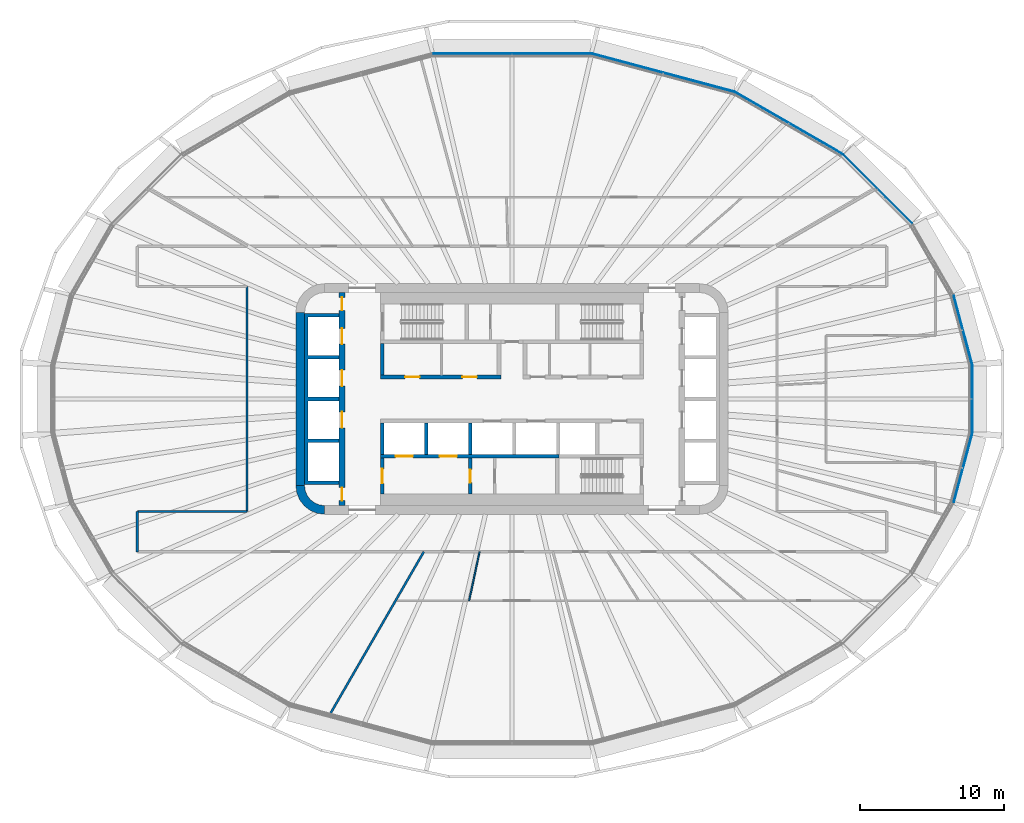
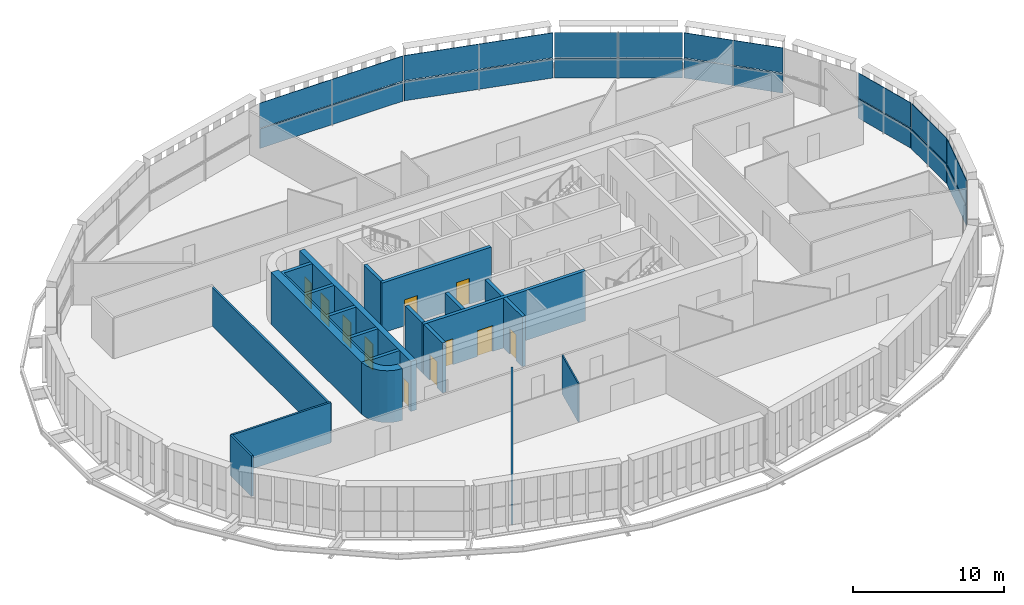
# One storey, part 14 of 25: 17 walls, 14 plates, 11 doors, 11 openings, 7 elements without a shape of their own.
"""IFC4 building model written with IfcOpenShell, lengths in metres."""

from ifc_helpers import new_model, si_unit, direction, frame, frame_2d, origin, place, context, subcontext, project, spatial, polyline, rectangle, outline, extrude, material, layer, layer_set, type_object, element, fill, aggregate, save


model = new_model("IFC4")

# Units and contexts
model_context = context("Model", 3, precision=1e-05, world=origin(), true_north=direction((0.0, 1.0)))
body_context = subcontext(model_context, "Body", "Model", "MODEL_VIEW")
ifc_project = project(units=[si_unit("LENGTHUNIT", "METRE"), si_unit("AREAUNIT", "SQUARE_METRE"), si_unit("VOLUMEUNIT", "CUBIC_METRE"), si_unit("PLANEANGLEUNIT", "RADIAN"), si_unit("MASSUNIT", "GRAM", prefix="KILO")], contexts=[model_context])

# Site, building, storey
site_placement = place(None, origin())
site = spatial("IfcSite", under=ifc_project, at=site_placement, CompositionType="ELEMENT")
building_placement = place(site_placement, origin())
building = spatial("IfcBuilding", under=site, at=building_placement, Name="Sahrelin Media Tower", CompositionType="ELEMENT")
storey_placement = place(building_placement, frame((0.0, 0.0, 106.199951171875)))
storey = spatial("IfcBuildingStorey", under=building, at=storey_placement, Name="L20", CompositionType="ELEMENT", Elevation=106.199951171875)

# Curtain wall, plate
ifc_material_1 = material(Name="Champagne anodised aluminium 6063-T6", Category="aluminium")
ifc_layer_1 = layer(ifc_material_1, 0.14990234375)
ifc_layer_set_1 = layer_set([ifc_layer_1], Name="Tower ribbon curtain wall")
curtain_wall_type = type_object("IfcCurtainWallType", Name="Tower ribbon curtain wall", PredefinedType="NOTDEFINED", material=ifc_layer_set_1)
curtain_wall_1_placement = place(storey_placement, frame((31.9443359375, 0.0, 0.0), z_axis=(0.0, 0.0, 1.0), x_axis=(1.0, 0.0, 0.0)))
curtain_wall_1 = element("IfcCurtainWall", 1, at=curtain_wall_1_placement, inside=storey, type_object=curtain_wall_type, Name="L20:CW:L20-00", PredefinedType="NOTDEFINED")
ifc_material_2 = material(Name="Clear low-iron glazing", Category="glass")
ifc_layer_2 = layer(ifc_material_2, 0.0400390625)
ifc_layer_set_2 = layer_set([ifc_layer_2], Name="Glazing panel 40 mm CW1")
plate_type_1 = type_object("IfcPlateType", Name="Glazing panel 40 mm CW1", PredefinedType="CURTAIN_PANEL", material=ifc_layer_set_2)
plate_1_placement = place(storey_placement, frame((31.96435546875, -2.337158203125, 1.630126953125), z_axis=(1.0, 0.0, 0.0), x_axis=(0.0, 1.0, 0.0)))
plate_1 = element("IfcPlate", 2, at=plate_1_placement, type_object=plate_type_1, Name="L20:CWP2:L20-00", PredefinedType="CURTAIN_PANEL", context=body_context, shape_type="SweptSolid", body=[
    extrude(outline(polyline([(0.0, 0.0), (4.67431640625, 0.0), (4.67431640625, 2.0185546875), (0.0, 2.0185546875), (0.0, 0.0)])), origin(), (0.0, 0.0, -1.0), 0.0400390625),
])

curtain_wall_2_placement = place(storey_placement, frame((31.298095703125, 4.798828125, 0.0), z_axis=(0.0, 0.0, 1.0), x_axis=(1.0, 0.0, 0.0)))
curtain_wall_2 = element("IfcCurtainWall", 3, at=curtain_wall_2_placement, inside=storey, type_object=curtain_wall_type, Name="L20:CW:L20-01", PredefinedType="NOTDEFINED")
plate_2_placement = place(storey_placement, frame((31.95068359375, 2.440673828125, 1.630126953125), z_axis=(0.965932017326, 0.258795938733, 0.0), x_axis=(-0.258795938733, 0.965932017326, 0.0)))
plate_2 = element("IfcPlate", 4, at=plate_2_placement, type_object=plate_type_1, Name="L20:CWP2:L20-01", PredefinedType="CURTAIN_PANEL", context=body_context, shape_type="SweptSolid", body=[
    extrude(outline(polyline([(0.0, 0.0), (4.893310546875, 0.0), (4.893310546875, 2.0185546875), (0.0, 2.0185546875), (0.0, 0.0)])), origin(), (0.0, 0.0, -1.0), 0.0400390625),
])

curtain_wall_3_placement = place(storey_placement, frame((25.371337890625, 14.5703125, 0.0), z_axis=(0.0, 0.0, 1.0), x_axis=(1.0, 0.0, 0.0)))
curtain_wall_3 = element("IfcCurtainWall", 5, at=curtain_wall_3_placement, inside=storey, type_object=curtain_wall_type, Name="L20:CW:L20-03", PredefinedType="NOTDEFINED")
plate_3_placement = place(storey_placement, frame((27.790283203125, 12.1796875, 1.630126953125), z_axis=(0.707106781187, 0.707106781187, 0.0), x_axis=(-0.707106781187, 0.707106781187, 0.0)))
plate_3 = element("IfcPlate", 6, at=plate_3_placement, type_object=plate_type_1, Name="L20:CWP2:L20-03", PredefinedType="CURTAIN_PANEL", context=body_context, shape_type="SweptSolid", body=[
    extrude(outline(polyline([(0.0, 0.0), (6.801513671875, 0.0), (6.801513671875, 2.0185546875), (0.0, 2.0185546875), (0.0, 0.0)])), origin(), (0.0, 0.0, -1.0), 0.0400390625),
])

curtain_wall_4_placement = place(storey_placement, frame((19.20751953125, 19.160400390625, 0.0), z_axis=(0.0, 0.0, 1.0), x_axis=(1.0, 0.0, 0.0)))
curtain_wall_4 = element("IfcCurtainWall", 7, at=curtain_wall_4_placement, inside=storey, type_object=curtain_wall_type, Name="L20:CW:L20-04", PredefinedType="NOTDEFINED")
plate_4_placement = place(storey_placement, frame((22.898193359375, 17.052490234375, 1.630126953125), z_axis=(0.499994284652, 0.866028703517, 0.0), x_axis=(-0.866028703517, 0.499994284652, 0.0)))
plate_4 = element("IfcPlate", 8, at=plate_4_placement, type_object=plate_type_1, Name="L20:CWP2:L20-04", PredefinedType="CURTAIN_PANEL", context=body_context, shape_type="SweptSolid", body=[
    extrude(outline(polyline([(0.0, 0.0), (8.5, 0.0), (8.5, 2.0185546875), (0.0, 2.0185546875), (0.0, 0.0)])), origin(), (0.0, 0.0, -1.0), 0.0400390625),
])

curtain_wall_5_placement = place(storey_placement, frame((10.50732421875, 22.643798828125, 0.0), z_axis=(0.0, 0.0, 1.0), x_axis=(1.0, 0.0, 0.0)))
curtain_wall_5 = element("IfcCurtainWall", 9, at=curtain_wall_5_placement, inside=storey, type_object=curtain_wall_type, Name="L20:CW:L20-05", PredefinedType="NOTDEFINED")
plate_5_placement = place(storey_placement, frame((15.4404296875, 21.342529296875, 1.630126953125), z_axis=(0.258816614048, 0.965926477685, 0.0), x_axis=(-0.965926477685, 0.258816614048, 0.0)))
plate_5 = element("IfcPlate", 10, at=plate_5_placement, type_object=plate_type_1, Name="L20:CWP2:L20-05", PredefinedType="CURTAIN_PANEL", context=body_context, shape_type="SweptSolid", body=[
    extrude(outline(polyline([(0.0, 0.0), (10.20361328125, 0.0), (10.20361328125, 2.0185546875), (0.0, 2.0185546875), (0.0, 0.0)])), origin(), (0.0, 0.0, -1.0), 0.0400390625),
])

curtain_wall_6_placement = place(storey_placement, frame((0.0, 23.97705078125, 0.0), z_axis=(0.0, 0.0, 1.0), x_axis=(1.0, 0.0, 0.0)))
curtain_wall_6 = element("IfcCurtainWall", 11, at=curtain_wall_6_placement, inside=storey, type_object=curtain_wall_type, Name="L20:CW:L20-06", PredefinedType="NOTDEFINED")
plate_6_placement = place(storey_placement, frame((5.48095703125, 23.9970703125, 1.630126953125), z_axis=(0.0, 1.0, 0.0), x_axis=(-1.0, 0.0, 0.0)))
plate_6 = element("IfcPlate", 12, at=plate_6_placement, type_object=plate_type_1, Name="L20:CWP2:L20-06", PredefinedType="CURTAIN_PANEL", context=body_context, shape_type="SweptSolid", body=[
    extrude(outline(polyline([(0.0, 0.0), (10.9619140625, 0.0), (10.9619140625, 2.0185546875), (0.0, 2.0185546875), (0.0, 0.0)])), origin(), (0.0, 0.0, -1.0), 0.0400390625),
])

curtain_wall_7_placement = place(storey_placement, frame((31.298095703125, -4.798583984375, 0.0), z_axis=(0.0, 0.0, 1.0), x_axis=(1.0, 0.0, 0.0)))
curtain_wall_7 = element("IfcCurtainWall", 13, at=curtain_wall_7_placement, inside=storey, type_object=curtain_wall_type, Name="L20:CW:L20-23", PredefinedType="NOTDEFINED")
plate_7_placement = place(storey_placement, frame((30.684326171875, -7.167236328125, 1.630126953125), z_axis=(0.965932017326, -0.258795938733, 0.0), x_axis=(0.258795938733, 0.965932017326, 0.0)))
plate_7 = element("IfcPlate", 14, at=plate_7_placement, type_object=plate_type_1, Name="L20:CWP2:L20-23", PredefinedType="CURTAIN_PANEL", context=body_context, shape_type="SweptSolid", body=[
    extrude(outline(polyline([(0.0, 0.0), (4.893310546875, 0.0), (4.893310546875, 2.0185546875), (0.0, 2.0185546875), (0.0, 0.0)])), origin(), (0.0, 0.0, -1.0), 0.0400390625),
])

# Plate
ifc_material_3 = material(Name="Insulated spandrel panel")
ifc_layer_3 = layer(ifc_material_3, 0.06005859375)
ifc_layer_set_3 = layer_set([ifc_layer_3], Name="Spandrel panel 60 mm CW1")
plate_type_2 = type_object("IfcPlateType", Name="Spandrel panel 60 mm CW1", PredefinedType="SHEET", material=ifc_layer_set_3)
plate_8_placement = place(storey_placement, frame((31.96435546875, -2.337158203125, 0.0), z_axis=(1.0, 0.0, 0.0), x_axis=(0.0, 1.0, 0.0)))
plate_8 = element("IfcPlate", 15, at=plate_8_placement, type_object=plate_type_2, Name="L20:CWP1:L20-00", PredefinedType="SHEET", context=body_context, shape_type="SweptSolid", body=[
    extrude(outline(polyline([(0.0, 0.0), (4.67431640625, 0.0), (4.67431640625, 1.570068359375), (0.0, 1.570068359375), (0.0, 0.0)])), origin(), (0.0, 0.0, -1.0), 0.06005859375),
])

aggregate(curtain_wall_1, [plate_8, plate_1])

plate_9_placement = place(storey_placement, frame((31.95068359375, 2.440673828125, 0.0), z_axis=(0.965932017326, 0.258795938733, 0.0), x_axis=(-0.258795938733, 0.965932017326, 0.0)))
plate_9 = element("IfcPlate", 16, at=plate_9_placement, type_object=plate_type_2, Name="L20:CWP1:L20-01", PredefinedType="SHEET", context=body_context, shape_type="SweptSolid", body=[
    extrude(outline(polyline([(0.0, 0.0), (4.893310546875, 0.0), (4.893310546875, 1.570068359375), (0.0, 1.570068359375), (0.0, 0.0)])), origin(), (0.0, 0.0, -1.0), 0.06005859375),
])

aggregate(curtain_wall_2, [plate_9, plate_2])

plate_10_placement = place(storey_placement, frame((27.790283203125, 12.1796875, 0.0), z_axis=(0.707106781187, 0.707106781187, 0.0), x_axis=(-0.707106781187, 0.707106781187, 0.0)))
plate_10 = element("IfcPlate", 17, at=plate_10_placement, type_object=plate_type_2, Name="L20:CWP1:L20-03", PredefinedType="SHEET", context=body_context, shape_type="SweptSolid", body=[
    extrude(outline(polyline([(0.0, 0.0), (6.801513671875, 0.0), (6.801513671875, 1.570068359375), (0.0, 1.570068359375), (0.0, 0.0)])), origin(), (0.0, 0.0, -1.0), 0.06005859375),
])

aggregate(curtain_wall_3, [plate_10, plate_3])

plate_11_placement = place(storey_placement, frame((22.898193359375, 17.052490234375, 0.0), z_axis=(0.499994284652, 0.866028703517, 0.0), x_axis=(-0.866028703517, 0.499994284652, 0.0)))
plate_11 = element("IfcPlate", 18, at=plate_11_placement, type_object=plate_type_2, Name="L20:CWP1:L20-04", PredefinedType="SHEET", context=body_context, shape_type="SweptSolid", body=[
    extrude(outline(polyline([(0.0, 0.0), (8.5, 0.0), (8.5, 1.570068359375), (0.0, 1.570068359375), (0.0, 0.0)])), origin(), (0.0, 0.0, -1.0), 0.06005859375),
])

aggregate(curtain_wall_4, [plate_11, plate_4])

plate_12_placement = place(storey_placement, frame((15.4404296875, 21.342529296875, 0.0), z_axis=(0.258816614048, 0.965926477685, 0.0), x_axis=(-0.965926477685, 0.258816614048, 0.0)))
plate_12 = element("IfcPlate", 19, at=plate_12_placement, type_object=plate_type_2, Name="L20:CWP1:L20-05", PredefinedType="SHEET", context=body_context, shape_type="SweptSolid", body=[
    extrude(outline(polyline([(0.0, 0.0), (10.20361328125, 0.0), (10.20361328125, 1.570068359375), (0.0, 1.570068359375), (0.0, 0.0)])), origin(), (0.0, 0.0, -1.0), 0.06005859375),
])

aggregate(curtain_wall_5, [plate_12, plate_5])

plate_13_placement = place(storey_placement, frame((5.48095703125, 23.9970703125, 0.0), z_axis=(0.0, 1.0, 0.0), x_axis=(-1.0, 0.0, 0.0)))
plate_13 = element("IfcPlate", 20, at=plate_13_placement, type_object=plate_type_2, Name="L20:CWP1:L20-06", PredefinedType="SHEET", context=body_context, shape_type="SweptSolid", body=[
    extrude(outline(polyline([(0.0, 0.0), (10.9619140625, 0.0), (10.9619140625, 1.570068359375), (0.0, 1.570068359375), (0.0, 0.0)])), origin(), (0.0, 0.0, -1.0), 0.06005859375),
])

aggregate(curtain_wall_6, [plate_13, plate_6])

plate_14_placement = place(storey_placement, frame((30.684326171875, -7.167236328125, 0.0), z_axis=(0.965932017326, -0.258795938733, 0.0), x_axis=(0.258795938733, 0.965932017326, 0.0)))
plate_14 = element("IfcPlate", 21, at=plate_14_placement, type_object=plate_type_2, Name="L20:CWP1:L20-23", PredefinedType="SHEET", context=body_context, shape_type="SweptSolid", body=[
    extrude(outline(polyline([(0.0, 0.0), (4.893310546875, 0.0), (4.893310546875, 1.570068359375), (0.0, 1.570068359375), (0.0, 0.0)])), origin(), (0.0, 0.0, -1.0), 0.06005859375),
])

aggregate(curtain_wall_7, [plate_14, plate_7])

# Walls
ifc_material_4 = material(Name="Concrete C60/75", Category="concrete")
ifc_layer_4 = layer(ifc_material_4, 0.60009765625)
ifc_layer_set_4 = layer_set([ifc_layer_4], Name="Core wall 600")
wall_type_1 = type_object("IfcWallType", Name="Core wall 600", PredefinedType="SHEAR", material=ifc_layer_set_4)
wall_1_placement = place(storey_placement, frame((-14.699951171875, -6.0, 0.0), z_axis=(0.0, 0.0, 1.0), x_axis=(0.0, 1.0, 0.0)))
element("IfcWall", 22, at=wall_1_placement, inside=storey, type_object=wall_type_1, Name="Core wall W L20", PredefinedType="SHEAR", context=body_context, shape_type="SweptSolid", body=[
    extrude(rectangle(XDim=12.0, YDim=0.60009765625, at=frame_2d((6.0, 0.0))), origin(), (0.0, 0.0, 1.0), 4.199951171875),
])
placement = place(storey_placement, origin())
element("IfcWall", 23, at=placement, inside=storey, type_object=wall_type_1, Name="Core wall corner SW L20", PredefinedType="SHEAR", context=body_context, shape_type="SweptSolid", body=[
    extrude(outline(polyline([(-13.0, -8.0), (-13.0, -7.394775390625), (-13.361083984375, -7.347412109375), (-13.697509765625, -7.2080078125), (-13.986328125, -6.986328125), (-14.2080078125, -6.697509765625), (-14.347412109375, -6.361083984375), (-14.394775390625, -6.0), (-15.0, -6.0), (-14.931884765625, -6.517578125), (-14.732177734375, -7.0), (-14.414306640625, -7.414306640625), (-14.0, -7.732177734375), (-13.517578125, -7.931884765625), (-13.0, -8.0)])), origin(), (0.0, 0.0, 1.0), 4.199951171875),
])

# Wall, openings, doors
ifc_material_5 = material(Name="Fire-rated gypsum board partition")
ifc_layer_5 = layer(ifc_material_5, 0.25)
ifc_layer_set_5 = layer_set([ifc_layer_5], Name="Fire-rated lobby wall 250")
wall_type_2 = type_object("IfcWallType", Name="Fire-rated lobby wall 250", PredefinedType="PARTITIONING", material=ifc_layer_set_5)
wall_3_placement = place(storey_placement, frame((-9.125, 1.52490234375, 0.0), z_axis=(0.0, 0.0, 1.0), x_axis=(1.0, 0.0, 0.0)))
wall_3 = element("IfcWall", 24, at=wall_3_placement, inside=storey, type_object=wall_type_2, Name="Core lobby wall", PredefinedType="PARTITIONING", context=body_context, shape_type="SweptSolid", body=[
    extrude(rectangle(XDim=8.35009765625, YDim=0.25, at=frame_2d((4.175048828125, 0.0))), origin(), (0.0, 0.0, 1.0), 4.050048828125),
])
opening_1_placement = place(wall_3_placement, frame((1.71240234375, 0.0, 0.0)))
opening_1 = element("IfcOpeningElement", 25, at=opening_1_placement, cuts=wall_3, Name="Opening L20-D09", PredefinedType="OPENING", context=body_context, shape_type="SweptSolid", body=[
    extrude(rectangle(XDim=1.0, YDim=2.10009765625, at=frame_2d((0.5, 1.050048828125))), frame((0.0, 0.125, 0.0), z_axis=(0.0, -1.0, 0.0), x_axis=(1.0, 0.0, 0.0)), (0.0, 0.0, 1.0), 0.25),
])
opening_2_placement = place(wall_3_placement, frame((5.6875, 0.0, 0.0)))
opening_2 = element("IfcOpeningElement", 26, at=opening_2_placement, cuts=wall_3, Name="Opening L20-D10", PredefinedType="OPENING", context=body_context, shape_type="SweptSolid", body=[
    extrude(rectangle(XDim=1.0, YDim=2.10009765625, at=frame_2d((0.5, 1.050048828125))), frame((0.0, 0.125, 0.0), z_axis=(0.0, -1.0, 0.0), x_axis=(1.0, 0.0, 0.0)), (0.0, 0.0, 1.0), 0.25),
])
ifc_material_6 = material(Name="Steel fire door leaf", Category="steel")
door_type_1 = type_object("IfcDoorType", Name="Fire door 1000 x 2100 EI 60", OperationType="NOTDEFINED", PredefinedType="DOOR", material=ifc_material_6)
door_1_placement = place(opening_1_placement, origin())
door_1 = element("IfcDoor", 27, at=door_1_placement, inside=storey, type_object=door_type_1, Name="Core room door", OperationType="SINGLE_SWING_LEFT", OverallHeight=2.10009765625, OverallWidth=1.0, PredefinedType="DOOR", context=body_context, shape_type="SweptSolid", body=[
    extrude(rectangle(XDim=1.0, YDim=2.10009765625, at=frame_2d((0.5, 1.050048828125))), frame((0.0, 0.02490234375, 0.0), z_axis=(0.0, -1.0, 0.0), x_axis=(1.0, 0.0, 0.0)), (0.0, 0.0, 1.0), 0.050048828125),
])
fill(opening_1, door_1)
door_2_placement = place(opening_2_placement, origin())
door_2 = element("IfcDoor", 28, at=door_2_placement, inside=storey, type_object=door_type_1, Name="Core room door", OperationType="SINGLE_SWING_LEFT", OverallHeight=2.10009765625, OverallWidth=1.0, PredefinedType="DOOR", context=body_context, shape_type="SweptSolid", body=[
    extrude(rectangle(XDim=1.0, YDim=2.10009765625, at=frame_2d((0.5, 1.050048828125))), frame((0.0, 0.02490234375, 0.0), z_axis=(0.0, -1.0, 0.0), x_axis=(1.0, 0.0, 0.0)), (0.0, 0.0, 1.0), 0.050048828125),
])
fill(opening_2, door_2)

# Walls
wall_4_placement = place(storey_placement, frame((-9.0, 1.64990234375, 0.0), z_axis=(0.0, 0.0, 1.0), x_axis=(0.0, 1.0, 0.0)))
element("IfcWall", 29, at=wall_4_placement, inside=storey, type_object=wall_type_2, Name="Core lobby wall", PredefinedType="PARTITIONING", context=body_context, shape_type="SweptSolid", body=[
    extrude(rectangle(XDim=2.2001953125, YDim=0.25, at=frame_2d((1.10009765625, 0.0))), origin(), (0.0, 0.0, 1.0), 4.050048828125),
])
ifc_layer_6 = layer(ifc_material_5, 0.14990234375)
ifc_layer_set_6 = layer_set([ifc_layer_6], Name="Fire-rated partition 150")
wall_type_3 = type_object("IfcWallType", Name="Fire-rated partition 150", PredefinedType="PARTITIONING", material=ifc_layer_set_6)
wall_5_placement = place(storey_placement, frame((-26.0, -7.800048828125, 0.0), z_axis=(0.0, 0.0, 1.0), x_axis=(1.0, 0.0, 0.0)))
element("IfcWall", 30, at=wall_5_placement, inside=storey, type_object=wall_type_3, Name="Wall", PredefinedType="PARTITIONING", context=body_context, shape_type="SweptSolid", body=[
    extrude(rectangle(XDim=7.60009765625, YDim=0.14990234375, at=frame_2d((3.800048828125, 0.0))), origin(), (0.0, 0.0, 1.0), 3.276123046875),
])
wall_6_placement = place(storey_placement, frame((-12.72900390625, -22.048095703125, 0.0), z_axis=(0.0, 0.0, 1.0), x_axis=(0.499978786084, 0.866037651298, 0.0)))
element("IfcWall", 31, at=wall_6_placement, inside=storey, type_object=wall_type_3, Name="Wall", PredefinedType="PARTITIONING", context=body_context, shape_type="SweptSolid", body=[
    extrude(rectangle(XDim=13.21875, YDim=0.14990234375, at=frame_2d((6.609375, 0.0))), origin(), (0.0, 0.0, 1.0), 3.501708984375),
])
wall_7_placement = place(storey_placement, frame((-18.39990234375, -7.800048828125, 0.0), z_axis=(0.0, 0.0, 1.0), x_axis=(0.0, 1.0, 0.0)))
element("IfcWall", 32, at=wall_7_placement, inside=storey, type_object=wall_type_3, Name="Wall", PredefinedType="PARTITIONING", context=body_context, shape_type="SweptSolid", body=[
    extrude(rectangle(XDim=15.60009765625, YDim=0.14990234375, at=frame_2d((7.800048828125, 0.0))), origin(), (0.0, 0.0, 1.0), 3.1181640625),
])
wall_8_placement = place(storey_placement, frame((-26.0, -10.60009765625, 0.0), z_axis=(0.0, 0.0, 1.0), x_axis=(0.0, 1.0, 0.0)))
element("IfcWall", 33, at=wall_8_placement, inside=storey, type_object=wall_type_3, Name="Wall", PredefinedType="PARTITIONING", context=body_context, shape_type="SweptSolid", body=[
    extrude(rectangle(XDim=2.800048828125, YDim=0.14990234375, at=frame_2d((1.39990234375, 0.0))), origin(), (0.0, 0.0, 1.0), 3.276123046875),
])

# Wall, opening, door
ifc_layer_7 = layer(ifc_material_5, 0.25)
ifc_layer_set_7 = layer_set([ifc_layer_7], Name="Firefighting lobby wall 250")
wall_type_4 = type_object("IfcWallType", Name="Firefighting lobby wall 250", PredefinedType="PARTITIONING", material=ifc_layer_set_7)
wall_9_placement = place(storey_placement, frame((-9.0, -6.60009765625, 0.0), z_axis=(0.0, 0.0, 1.0), x_axis=(0.0, 1.0, 0.0)))
wall_9 = element("IfcWall", 34, at=wall_9_placement, inside=storey, type_object=wall_type_4, Name="Core wall", PredefinedType="PARTITIONING", context=body_context, shape_type="SweptSolid", body=[
    extrude(rectangle(XDim=2.5, YDim=0.25, at=frame_2d((1.25, 0.0))), origin(), (0.0, 0.0, 1.0), 4.050048828125),
])
opening_3_placement = place(wall_9_placement, frame((0.75, 0.0, 0.0)))
opening_3 = element("IfcOpeningElement", 35, at=opening_3_placement, cuts=wall_9, Name="Opening L20-D04", PredefinedType="OPENING", context=body_context, shape_type="SweptSolid", body=[
    extrude(rectangle(XDim=1.0, YDim=2.10009765625, at=frame_2d((0.5, 1.050048828125))), frame((0.0, 0.125, 0.0), z_axis=(0.0, -1.0, 0.0), x_axis=(1.0, 0.0, 0.0)), (0.0, 0.0, 1.0), 0.25),
])
door_type_2 = type_object("IfcDoorType", Name="Firefighting lobby door 1000 x 2100 EI 120", OperationType="NOTDEFINED", PredefinedType="DOOR", material=ifc_material_6)
door_3_placement = place(opening_3_placement, origin())
door_3 = element("IfcDoor", 36, at=door_3_placement, inside=storey, type_object=door_type_2, Name="Firefighting lobby door", OperationType="SINGLE_SWING_LEFT", OverallHeight=2.10009765625, OverallWidth=1.0, PredefinedType="DOOR", context=body_context, shape_type="SweptSolid", body=[
    extrude(rectangle(XDim=1.0, YDim=2.10009765625, at=frame_2d((0.5, 1.050048828125))), frame((0.0, 0.02490234375, 0.0), z_axis=(0.0, -1.0, 0.0), x_axis=(1.0, 0.0, 0.0)), (0.0, 0.0, 1.0), 0.050048828125),
])
fill(opening_3, door_3)

wall_10_placement = place(storey_placement, frame((-2.89990234375, -6.60009765625, 0.0), z_axis=(0.0, 0.0, 1.0), x_axis=(0.0, 1.0, 0.0)))
wall_10 = element("IfcWall", 37, at=wall_10_placement, inside=storey, type_object=wall_type_4, Name="Core wall", PredefinedType="PARTITIONING", context=body_context, shape_type="SweptSolid", body=[
    extrude(rectangle(XDim=2.5, YDim=0.25, at=frame_2d((1.25, 0.0))), origin(), (0.0, 0.0, 1.0), 4.050048828125),
])
opening_4_placement = place(wall_10_placement, frame((0.800048828125, 0.0, 0.0)))
opening_4 = element("IfcOpeningElement", 38, at=opening_4_placement, cuts=wall_10, Name="Opening L20-D05", PredefinedType="OPENING", context=body_context, shape_type="SweptSolid", body=[
    extrude(rectangle(XDim=0.89990234375, YDim=2.10009765625, at=frame_2d((0.449951171875, 1.050048828125))), frame((0.0, 0.125, 0.0), z_axis=(0.0, -1.0, 0.0), x_axis=(1.0, 0.0, 0.0)), (0.0, 0.0, 1.0), 0.25),
])
door_type_3 = type_object("IfcDoorType", Name="Firefighting lobby door 900 x 2100 EI 120", OperationType="NOTDEFINED", PredefinedType="DOOR", material=ifc_material_6)
door_4_placement = place(opening_4_placement, origin())
door_4 = element("IfcDoor", 39, at=door_4_placement, inside=storey, type_object=door_type_3, Name="Riser door", OperationType="SINGLE_SWING_RIGHT", OverallHeight=2.10009765625, OverallWidth=0.89990234375, PredefinedType="DOOR", context=body_context, shape_type="SweptSolid", body=[
    extrude(rectangle(XDim=0.89990234375, YDim=2.10009765625, at=frame_2d((0.449951171875, 1.050048828125))), frame((0.0, 0.02490234375, 0.0), z_axis=(0.0, -1.0, 0.0), x_axis=(1.0, 0.0, 0.0)), (0.0, 0.0, 1.0), 0.050048828125),
])
fill(opening_4, door_4)

# Wall, openings, doors
ifc_layer_8 = layer(ifc_material_4, 0.25)
ifc_layer_set_8 = layer_set([ifc_layer_8], Name="Lift shaft wall 250")
wall_type_5 = type_object("IfcWallType", Name="Lift shaft wall 250", PredefinedType="SOLIDWALL", material=ifc_layer_set_8)
wall_11_placement = place(storey_placement, frame((-9.125, -3.97509765625, 0.0), z_axis=(0.0, 0.0, 1.0), x_axis=(1.0, 0.0, 0.0)))
wall_11 = element("IfcWall", 40, at=wall_11_placement, inside=storey, type_object=wall_type_5, Name="Lift shaft wall", PredefinedType="SOLIDWALL", context=body_context, shape_type="SweptSolid", body=[
    extrude(rectangle(XDim=12.39990234375, YDim=0.25, at=frame_2d((6.199951171875, 0.0))), origin(), (0.0, 0.0, 1.0), 4.050048828125),
])
opening_5_placement = place(wall_11_placement, frame((1.050048828125, 0.0, 0.0)))
opening_5 = element("IfcOpeningElement", 41, at=opening_5_placement, cuts=wall_11, Name="Opening L20-LD-FF1", PredefinedType="OPENING", context=body_context, shape_type="SweptSolid", body=[
    extrude(rectangle(XDim=1.199951171875, YDim=2.10009765625, at=frame_2d((0.60009765625, 1.050048828125))), frame((0.0, 0.125, 0.0), z_axis=(0.0, -1.0, 0.0), x_axis=(1.0, 0.0, 0.0)), (0.0, 0.0, 1.0), 0.25),
])
opening_6_placement = place(wall_11_placement, frame((4.10009765625, 0.0, 0.0)))
opening_6 = element("IfcOpeningElement", 42, at=opening_6_placement, cuts=wall_11, Name="Opening L20-LD-FF2", PredefinedType="OPENING", context=body_context, shape_type="SweptSolid", body=[
    extrude(rectangle(XDim=1.199951171875, YDim=2.10009765625, at=frame_2d((0.60009765625, 1.050048828125))), frame((0.0, 0.125, 0.0), z_axis=(0.0, -1.0, 0.0), x_axis=(1.0, 0.0, 0.0)), (0.0, 0.0, 1.0), 0.25),
])
ifc_material_7 = material(Name="Stainless steel", Category="steel")
door_type_4 = type_object("IfcDoorType", Name="Lift landing door 1200 x 2100 EI 120", OperationType="DOUBLE_DOOR_SLIDING", PredefinedType="DOOR", material=ifc_material_7)
door_5_placement = place(opening_5_placement, origin())
door_5 = element("IfcDoor", 43, at=door_5_placement, inside=storey, type_object=door_type_4, Name="Lift landing door FF1", OperationType="DOUBLE_DOOR_SLIDING", OverallHeight=2.10009765625, OverallWidth=1.199951171875, PredefinedType="DOOR", context=body_context, shape_type="SweptSolid", body=[
    extrude(rectangle(XDim=1.199951171875, YDim=2.10009765625, at=frame_2d((0.60009765625, 1.050048828125))), frame((0.0, 0.02490234375, 0.0), z_axis=(0.0, -1.0, 0.0), x_axis=(1.0, 0.0, 0.0)), (0.0, 0.0, 1.0), 0.050048828125),
])
fill(opening_5, door_5)
door_6_placement = place(opening_6_placement, origin())
door_6 = element("IfcDoor", 44, at=door_6_placement, inside=storey, type_object=door_type_4, Name="Lift landing door FF2", OperationType="DOUBLE_DOOR_SLIDING", OverallHeight=2.10009765625, OverallWidth=1.199951171875, PredefinedType="DOOR", context=body_context, shape_type="SweptSolid", body=[
    extrude(rectangle(XDim=1.199951171875, YDim=2.10009765625, at=frame_2d((0.60009765625, 1.050048828125))), frame((0.0, 0.02490234375, 0.0), z_axis=(0.0, -1.0, 0.0), x_axis=(1.0, 0.0, 0.0)), (0.0, 0.0, 1.0), 0.050048828125),
])
fill(opening_6, door_6)

# Walls
for number, where, z_axis, x_axis, name in (
    (45, (-9.0, -3.85009765625, 0.0), (0.0, 0.0, 1.0), (0.0, 1.0, 0.0), "Lift shaft wall"),
    (46, (-5.949951171875, -3.85009765625, 0.0), (0.0, 0.0, 1.0), (0.0, 1.0, 0.0), "Lift shaft wall"),
    (47, (-2.89990234375, -3.85009765625, 0.0), (0.0, 0.0, 1.0), (0.0, 1.0, 0.0), "Lift shaft wall"),
):
    element("IfcWall", number, at=place(storey_placement, frame(where, z_axis=z_axis, x_axis=x_axis)), inside=storey, type_object=wall_type_5, Name=name, PredefinedType="SOLIDWALL", context=body_context, shape_type="SweptSolid", body=[
        extrude(rectangle(XDim=2.2001953125, YDim=0.25, at=frame_2d((1.10009765625, 0.0))), origin(), (0.0, 0.0, 1.0), 4.050048828125),
    ])
element("IfcWall", 48, at=placement, inside=storey, type_object=wall_type_5, Name="Lift shaft wall", PredefinedType="SOLIDWALL", context=body_context, shape_type="SweptSolid", body=[
    extrude(outline(polyline([(-12.0, -5.925048828125), (-12.0, -5.675048828125), (-14.14990234375, -5.675048828125), (-14.14990234375, -3.02490234375), (-12.0, -3.02490234375), (-12.0, -2.77490234375), (-14.14990234375, -2.77490234375), (-14.14990234375, -0.125), (-12.0, -0.125), (-12.0, 0.125), (-14.14990234375, 0.125), (-14.14990234375, 2.77490234375), (-12.0, 2.77490234375), (-12.0, 3.02490234375), (-14.14990234375, 3.02490234375), (-14.14990234375, 5.675048828125), (-12.0, 5.675048828125), (-12.0, 5.925048828125), (-14.14990234375, 5.925048828125), (-14.39990234375, 5.925048828125), (-14.39990234375, 5.675048828125), (-14.39990234375, 3.02490234375), (-14.39990234375, 2.77490234375), (-14.39990234375, 0.125), (-14.39990234375, -0.125), (-14.39990234375, -2.77490234375), (-14.39990234375, -3.02490234375), (-14.39990234375, -5.675048828125), (-14.39990234375, -5.925048828125), (-14.14990234375, -5.925048828125), (-12.0, -5.925048828125)])), origin(), (0.0, 0.0, 1.0), 4.050048828125),
])

# Wall, openings, doors
ifc_layer_9 = layer(ifc_material_4, 0.39990234375)
ifc_layer_set_9 = layer_set([ifc_layer_9], Name="Lift shaft wall 400")
wall_type_6 = type_object("IfcWallType", Name="Lift shaft wall 400", PredefinedType="SOLIDWALL", material=ifc_layer_set_9)
wall_13_placement = place(storey_placement, frame((-11.800048828125, -7.39990234375, 0.0), z_axis=(0.0, 0.0, 1.0), x_axis=(0.0, 1.0, 0.0)))
wall_13 = element("IfcWall", 49, at=wall_13_placement, inside=storey, type_object=wall_type_6, Name="Lift shaft wall", PredefinedType="SOLIDWALL", context=body_context, shape_type="SweptSolid", body=[
    extrude(rectangle(XDim=14.7998046875, YDim=0.39990234375, at=frame_2d((7.39990234375, 0.0))), origin(), (0.0, 0.0, 1.0), 4.050048828125),
])
opening_7_placement = place(wall_13_placement, frame((11.199951171875, 0.0, 0.0)))
opening_7 = element("IfcOpeningElement", 50, at=opening_7_placement, cuts=wall_13, Name="Opening L20-LD-LR1", PredefinedType="OPENING", context=body_context, shape_type="SweptSolid", body=[
    extrude(rectangle(XDim=1.10009765625, YDim=2.10009765625, at=frame_2d((0.550048828125, 1.050048828125))), frame((0.0, 0.199951171875, 0.0), z_axis=(0.0, -1.0, 0.0), x_axis=(1.0, 0.0, 0.0)), (0.0, 0.0, 1.0), 0.39990234375),
])
opening_8_placement = place(wall_13_placement, frame((8.300048828125, 0.0, 0.0)))
opening_8 = element("IfcOpeningElement", 51, at=opening_8_placement, cuts=wall_13, Name="Opening L20-LD-LR2", PredefinedType="OPENING", context=body_context, shape_type="SweptSolid", body=[
    extrude(rectangle(XDim=1.10009765625, YDim=2.10009765625, at=frame_2d((0.550048828125, 1.050048828125))), frame((0.0, 0.199951171875, 0.0), z_axis=(0.0, -1.0, 0.0), x_axis=(1.0, 0.0, 0.0)), (0.0, 0.0, 1.0), 0.39990234375),
])
opening_9_placement = place(wall_13_placement, frame((5.39990234375, 0.0, 0.0)))
opening_9 = element("IfcOpeningElement", 52, at=opening_9_placement, cuts=wall_13, Name="Opening L20-LD-LR3", PredefinedType="OPENING", context=body_context, shape_type="SweptSolid", body=[
    extrude(rectangle(XDim=1.10009765625, YDim=2.10009765625, at=frame_2d((0.550048828125, 1.050048828125))), frame((0.0, 0.199951171875, 0.0), z_axis=(0.0, -1.0, 0.0), x_axis=(1.0, 0.0, 0.0)), (0.0, 0.0, 1.0), 0.39990234375),
])
opening_10_placement = place(wall_13_placement, frame((13.552490234375, 0.0, 0.0)))
opening_10 = element("IfcOpeningElement", 53, at=opening_10_placement, cuts=wall_13, Name="Opening L20-D15", PredefinedType="OPENING", context=body_context, shape_type="SweptSolid", body=[
    extrude(rectangle(XDim=0.89990234375, YDim=2.10009765625, at=frame_2d((0.449951171875, 1.050048828125))), frame((0.0, 0.199951171875, 0.0), z_axis=(0.0, -1.0, 0.0), x_axis=(1.0, 0.0, 0.0)), (0.0, 0.0, 1.0), 0.39990234375),
])
opening_11_placement = place(wall_13_placement, frame((0.347412109375, 0.0, 0.0)))
opening_11 = element("IfcOpeningElement", 54, at=opening_11_placement, cuts=wall_13, Name="Opening L20-D16", PredefinedType="OPENING", context=body_context, shape_type="SweptSolid", body=[
    extrude(rectangle(XDim=0.89990234375, YDim=2.10009765625, at=frame_2d((0.449951171875, 1.050048828125))), frame((0.0, 0.199951171875, 0.0), z_axis=(0.0, -1.0, 0.0), x_axis=(1.0, 0.0, 0.0)), (0.0, 0.0, 1.0), 0.39990234375),
])
door_type_5 = type_object("IfcDoorType", Name="Lift landing door 1100 x 2100 EI 120", OperationType="DOUBLE_DOOR_SLIDING", PredefinedType="DOOR", material=ifc_material_7)
door_7_placement = place(opening_7_placement, origin())
door_7 = element("IfcDoor", 55, at=door_7_placement, inside=storey, type_object=door_type_5, Name="Lift landing door LR1", OperationType="DOUBLE_DOOR_SLIDING", OverallHeight=2.10009765625, OverallWidth=1.10009765625, PredefinedType="DOOR", context=body_context, shape_type="SweptSolid", body=[
    extrude(rectangle(XDim=1.10009765625, YDim=2.10009765625, at=frame_2d((0.550048828125, 1.050048828125))), frame((0.0, 0.02490234375, 0.0), z_axis=(0.0, -1.0, 0.0), x_axis=(1.0, 0.0, 0.0)), (0.0, 0.0, 1.0), 0.050048828125),
])
fill(opening_7, door_7)
door_8_placement = place(opening_8_placement, origin())
door_8 = element("IfcDoor", 56, at=door_8_placement, inside=storey, type_object=door_type_5, Name="Lift landing door LR2", OperationType="DOUBLE_DOOR_SLIDING", OverallHeight=2.10009765625, OverallWidth=1.10009765625, PredefinedType="DOOR", context=body_context, shape_type="SweptSolid", body=[
    extrude(rectangle(XDim=1.10009765625, YDim=2.10009765625, at=frame_2d((0.550048828125, 1.050048828125))), frame((0.0, 0.02490234375, 0.0), z_axis=(0.0, -1.0, 0.0), x_axis=(1.0, 0.0, 0.0)), (0.0, 0.0, 1.0), 0.050048828125),
])
fill(opening_8, door_8)
door_9_placement = place(opening_9_placement, origin())
door_9 = element("IfcDoor", 57, at=door_9_placement, inside=storey, type_object=door_type_5, Name="Lift landing door LR3", OperationType="DOUBLE_DOOR_SLIDING", OverallHeight=2.10009765625, OverallWidth=1.10009765625, PredefinedType="DOOR", context=body_context, shape_type="SweptSolid", body=[
    extrude(rectangle(XDim=1.10009765625, YDim=2.10009765625, at=frame_2d((0.550048828125, 1.050048828125))), frame((0.0, 0.02490234375, 0.0), z_axis=(0.0, -1.0, 0.0), x_axis=(1.0, 0.0, 0.0)), (0.0, 0.0, 1.0), 0.050048828125),
])
fill(opening_9, door_9)
door_type_6 = type_object("IfcDoorType", Name="Riser door 900 x 2100 EI 120", OperationType="NOTDEFINED", PredefinedType="DOOR", material=ifc_material_6)
door_10_placement = place(opening_10_placement, origin())
door_10 = element("IfcDoor", 58, at=door_10_placement, inside=storey, type_object=door_type_6, Name="Riser door", OperationType="SINGLE_SWING_LEFT", OverallHeight=2.10009765625, OverallWidth=0.89990234375, PredefinedType="DOOR", context=body_context, shape_type="SweptSolid", body=[
    extrude(rectangle(XDim=0.89990234375, YDim=2.10009765625, at=frame_2d((0.449951171875, 1.050048828125))), frame((0.0, 0.02490234375, 0.0), z_axis=(0.0, -1.0, 0.0), x_axis=(1.0, 0.0, 0.0)), (0.0, 0.0, 1.0), 0.050048828125),
])
fill(opening_10, door_10)
door_11_placement = place(opening_11_placement, origin())
door_11 = element("IfcDoor", 59, at=door_11_placement, inside=storey, type_object=door_type_6, Name="Riser door", OperationType="SINGLE_SWING_LEFT", OverallHeight=2.10009765625, OverallWidth=0.89990234375, PredefinedType="DOOR", context=body_context, shape_type="SweptSolid", body=[
    extrude(rectangle(XDim=0.89990234375, YDim=2.10009765625, at=frame_2d((0.449951171875, 1.050048828125))), frame((0.0, 0.02490234375, 0.0), z_axis=(0.0, -1.0, 0.0), x_axis=(1.0, 0.0, 0.0)), (0.0, 0.0, 1.0), 0.050048828125),
])
fill(opening_11, door_11)

# Wall
ifc_material_8 = material(Name="Gypsum board partition")
ifc_layer_10 = layer(ifc_material_8, 0.10009765625)
ifc_layer_set_10 = layer_set([ifc_layer_10], Name="Partition 100")
wall_type_7 = type_object("IfcWallType", Name="Partition 100", PredefinedType="PARTITIONING", material=ifc_layer_set_10)
wall_14_placement = place(storey_placement, frame((-2.97607421875, -14.0, 0.0), z_axis=(0.0, 0.0, 1.0), x_axis=(0.208041878594, 0.978119919412, 0.0)))
element("IfcWall", 60, at=wall_14_placement, inside=storey, type_object=wall_type_7, Name="Wall", PredefinedType="PARTITIONING", context=body_context, shape_type="SweptSolid", body=[
    extrude(rectangle(XDim=3.47607421875, YDim=0.10009765625, at=frame_2d((1.738037109375, 0.0))), origin(), (0.0, 0.0, 1.0), 3.126953125),
])

save(model, "model.ifc")
